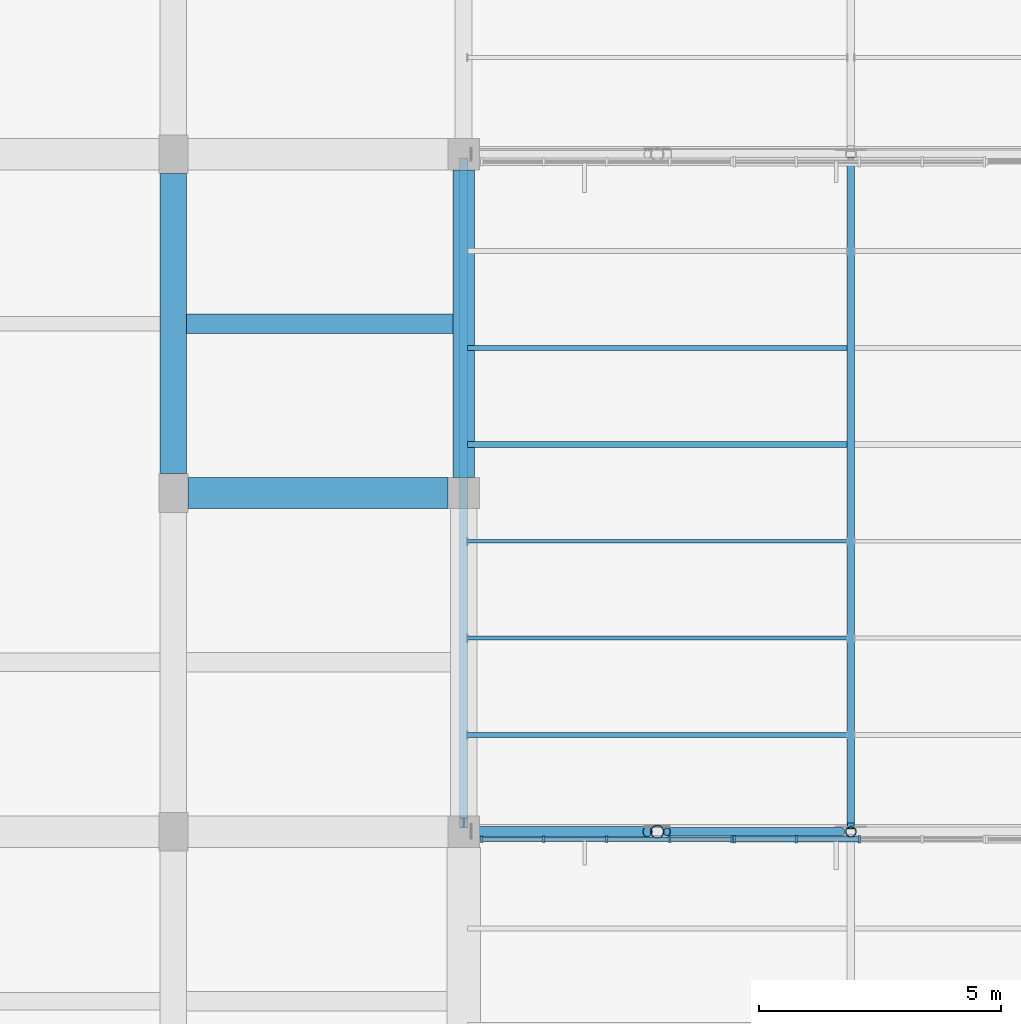
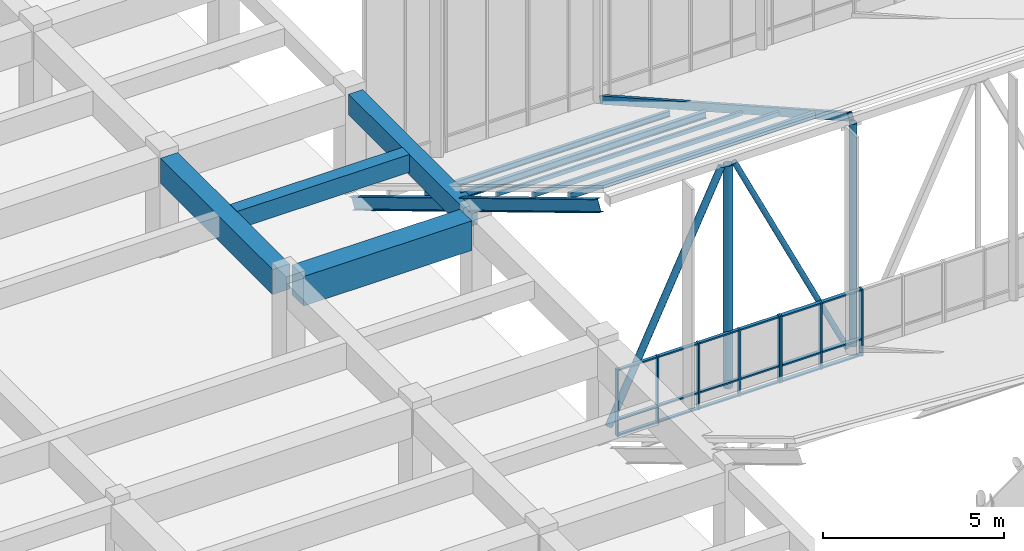
# One storey, part 52 of 155: 36 members, 5 beams, 2 elements without a shape of their own.
"""IFC4 building model written with IfcOpenShell, lengths in metres."""

from ifc_helpers import new_model, si_unit, direction, frame, origin, origin_2d, place, context, subcontext, project, spatial, rectangle, hollow_rectangle, hollow_circle, i_section, extrude, material, material_profile, profile_set, type_object, element, aggregate, save


model = new_model("IFC4")

# Units and contexts
model_context = context("Model", 3, precision=1e-05, world=origin(), true_north=direction((0.0, 1.0)))
body_context = subcontext(model_context, "Body", "Model", "MODEL_VIEW")
ifc_project = project(units=[si_unit("LENGTHUNIT", "METRE"), si_unit("AREAUNIT", "SQUARE_METRE"), si_unit("VOLUMEUNIT", "CUBIC_METRE"), si_unit("PLANEANGLEUNIT", "RADIAN"), si_unit("MASSUNIT", "GRAM", prefix="KILO")], contexts=[model_context])

# Site, building, storey
site_placement = place(None, origin())
site = spatial("IfcSite", under=ifc_project, at=site_placement, CompositionType="ELEMENT")
building_placement = place(site_placement, origin())
building = spatial("IfcBuilding", under=site, at=building_placement, Name="Larkveld Mobility Hub", CompositionType="ELEMENT")
storey_placement = place(building_placement, frame((0.0, 0.0, 8.39990234375)))
storey = spatial("IfcBuildingStorey", under=building, at=storey_placement, Name="L02", CompositionType="ELEMENT", Elevation=8.39990234375)

# Beams
ifc_material_1 = material(Name="Concrete C40/50", Category="concrete")
ifc_material_profile_1 = material_profile(ifc_material_1, rectangle(XDim=0.39990234375, YDim=0.60009765625, at=origin_2d()), Name="RC BM 400x600")
ifc_profile_set_1 = profile_set([ifc_material_profile_1], Name="Concrete C40/50")
beam_type_1 = type_object("IfcBeamType", Name="BM-RC4060", PredefinedType="BEAM", material=ifc_profile_set_1)
beam_1_placement = place(storey_placement, frame((146.27001953125, 94.5, 3.070068359375), z_axis=(1.0, 0.0, 0.0), x_axis=(0.0, 1.0, 0.0)))
element("IfcBeam", 1, at=beam_1_placement, inside=storey, type_object=beam_type_1, Name="Concourse Spine Joist L02-1102", PredefinedType="BEAM", context=body_context, shape_type="SweptSolid", body=[
    extrude(rectangle(XDim=0.39990234375, YDim=0.60009765625, at=origin_2d()), origin(), (0.0, 0.0, 1.0), 5.510009765625),
])
ifc_material_profile_2 = material_profile(ifc_material_1, rectangle(XDim=0.449951171875, YDim=0.699951171875, at=origin_2d()), Name="RC BM 450x700")
ifc_profile_set_2 = profile_set([ifc_material_profile_2], Name="Concrete C40/50")
beam_type_2 = type_object("IfcBeamType", Name="BM-RC4570", PredefinedType="BEAM", material=ifc_profile_set_2)
beam_2_placement = place(storey_placement, frame((152.0, 91.324951171875, 3.010009765625), z_axis=(0.0, 1.0, 0.0), x_axis=(-1.0, 0.0, 0.0)))
element("IfcBeam", 2, at=beam_2_placement, inside=storey, type_object=beam_type_2, Name="Primary N-S Girder L02-0683", PredefinedType="BEAM", context=body_context, shape_type="SweptSolid", body=[
    extrude(rectangle(XDim=0.449951171875, YDim=0.699951171875, at=origin_2d()), origin(), (0.0, 0.0, 1.0), 6.35009765625),
])
ifc_material_profile_3 = material_profile(ifc_material_1, rectangle(XDim=0.550048828125, YDim=0.85009765625, at=origin_2d()), Name="RC BM 550x850")
ifc_profile_set_3 = profile_set([ifc_material_profile_3], Name="Concrete C40/50")
beam_type_3 = type_object("IfcBeamType", Name="BM-RC5585", PredefinedType="BEAM", material=ifc_profile_set_3)
beam_3_placement = place(storey_placement, frame((146.0, 91.39990234375, 2.93505859375), z_axis=(0.0, 1.0, 0.0), x_axis=(-1.0, 0.0, 0.0)))
element("IfcBeam", 3, at=beam_3_placement, inside=storey, type_object=beam_type_3, Name="Primary N-S Girder L02-0668", PredefinedType="BEAM", context=body_context, shape_type="SweptSolid", body=[
    extrude(rectangle(XDim=0.550048828125, YDim=0.85009765625, at=origin_2d()), origin(), (0.0, 0.0, 1.0), 6.2001953125),
])
ifc_material_profile_4 = material_profile(ifc_material_1, rectangle(XDim=0.64990234375, YDim=1.0, at=origin_2d()), Name="RC BM 650x1000")
ifc_profile_set_4 = profile_set([ifc_material_profile_4], Name="Concrete C40/50")
beam_type_4 = type_object("IfcBeamType", Name="BM-RC65100", PredefinedType="BEAM", material=ifc_profile_set_4)
beam_4_placement = place(storey_placement, frame((146.300048828125, 91.0, 2.860107421875), z_axis=(1.0, 0.0, 0.0), x_axis=(0.0, 1.0, 0.0)))
element("IfcBeam", 4, at=beam_4_placement, inside=storey, type_object=beam_type_4, Name="Primary E-W Girder L02-0534", PredefinedType="BEAM", context=body_context, shape_type="SweptSolid", body=[
    extrude(rectangle(XDim=0.64990234375, YDim=1.0, at=origin_2d()), origin(), (0.0, 0.0, 1.0), 5.375),
])
ifc_material_2 = material(Name="Steel S355JR", Category="steel")
ifc_material_profile_5 = material_profile(ifc_material_2, i_section(OverallWidth=0.179931640625, OverallDepth=0.39990234375, WebThickness=0.008544921875, FlangeThickness=0.013427734375, FilletRadius=0.02099609375, at=origin_2d()), Name="IPE 400")
ifc_profile_set_5 = profile_set([ifc_material_profile_5], Name="Steel S355JR")
beam_type_5 = type_object("IfcBeamType", Name="BM-STIPE400", PredefinedType="BEAM", material=ifc_profile_set_5)
beam_5_placement = place(storey_placement, frame((152.0, 84.179931640625, 7.708984375), z_axis=(0.0, 0.85749969687, -0.514484469998), x_axis=(-1.0, 0.0, 0.0)))
element("IfcBeam", 5, at=beam_5_placement, inside=storey, type_object=beam_type_5, Name="ROOF TRUSS Sawtooth Edge Rafter B5-152", PredefinedType="BEAM", context=body_context, shape_type="SweptSolid", body=[
    extrude(i_section(OverallWidth=0.179931640625, OverallDepth=0.39990234375, WebThickness=0.008544921875, FlangeThickness=0.013427734375, FilletRadius=0.02099609375, at=origin_2d()), origin(), (0.0, 0.0, 1.0), 15.906982421875),
])

# Curtain wall, members
ifc_material_3 = material(Name="Anodised aluminium 6063-T6", Category="aluminium")
curtain_wall_type_1 = type_object("IfcCurtainWallType", Name="CW-SYS-09", PredefinedType="NOTDEFINED", material=ifc_material_3)
curtain_wall_1_placement = place(storey_placement, origin())
curtain_wall_1 = element("IfcCurtainWall", 6, at=curtain_wall_1_placement, inside=storey, type_object=curtain_wall_type_1, Name="Sawtooth South-Light Clerestory B5 CW-033", PredefinedType="NOTDEFINED")
ifc_material_profile_6 = material_profile(ifc_material_3, rectangle(XDim=0.050048828125, YDim=0.14990234375, at=origin_2d()), Name="ALU MULL 50x150")
ifc_profile_set_6 = profile_set([ifc_material_profile_6], Name="Anodised aluminium 6063-T6")
member_type_1 = type_object("IfcMemberType", Name="CW-MUL-01", PredefinedType="MULLION", material=ifc_profile_set_6)
member_1_placement = place(storey_placement, frame((157.592041015625, 83.844970703125, -0.001953125), z_axis=(0.0, 0.0, 1.0), x_axis=(1.0, 0.0, 0.0)))
member_1 = element("IfcMember", 7, at=member_1_placement, type_object=member_type_1, Name="CW09 mullion 1", PredefinedType="MULLION", context=body_context, shape_type="SweptSolid", body=[
    extrude(rectangle(XDim=0.050048828125, YDim=0.14990234375, at=origin_2d()), origin(), (0.0, 0.0, 1.0), 2.261962890625),
])
member_2_placement = place(storey_placement, frame((158.87109375, 83.844970703125, -0.001953125), z_axis=(0.0, 0.0, 1.0), x_axis=(1.0, 0.0, 0.0)))
member_2 = element("IfcMember", 8, at=member_2_placement, type_object=member_type_1, Name="CW09 mullion 2", PredefinedType="MULLION", context=body_context, shape_type="SweptSolid", body=[
    extrude(rectangle(XDim=0.050048828125, YDim=0.14990234375, at=origin_2d()), origin(), (0.0, 0.0, 1.0), 2.261962890625),
])
member_3_placement = place(storey_placement, frame((160.175048828125, 83.844970703125, -0.001953125), z_axis=(0.0, 0.0, 1.0), x_axis=(1.0, 0.0, 0.0)))
member_3 = element("IfcMember", 9, at=member_3_placement, type_object=member_type_1, Name="CW09 mullion 3", PredefinedType="MULLION", context=body_context, shape_type="SweptSolid", body=[
    extrude(rectangle(XDim=0.050048828125, YDim=0.14990234375, at=origin_2d()), origin(), (0.0, 0.0, 1.0), 2.261962890625),
])

curtain_wall_type_2 = type_object("IfcCurtainWallType", Name="CW-SYS-08", PredefinedType="NOTDEFINED", material=ifc_material_3)
curtain_wall_2_placement = place(storey_placement, origin())
curtain_wall_2 = element("IfcCurtainWall", 10, at=curtain_wall_2_placement, inside=storey, type_object=curtain_wall_type_2, Name="Sawtooth South-Light Clerestory B5 CW-032", PredefinedType="NOTDEFINED")
ifc_material_profile_7 = material_profile(ifc_material_3, rectangle(XDim=0.050048828125, YDim=0.1298828125, at=origin_2d()), Name="ALU MULL 50x130")
ifc_profile_set_7 = profile_set([ifc_material_profile_7], Name="Anodised aluminium 6063-T6")
member_type_2 = type_object("IfcMemberType", Name="CW-MUL-04", PredefinedType="MULLION", material=ifc_profile_set_7)
member_4_placement = place(storey_placement, frame((152.375, 83.844970703125, -0.001953125), z_axis=(0.0, 0.0, 1.0), x_axis=(1.0, 0.0, 0.0)))
member_4 = element("IfcMember", 11, at=member_4_placement, type_object=member_type_2, Name="CW08 mullion 1", PredefinedType="MULLION", context=body_context, shape_type="SweptSolid", body=[
    extrude(rectangle(XDim=0.050048828125, YDim=0.1298828125, at=origin_2d()), origin(), (0.0, 0.0, 1.0), 2.261962890625),
])
member_5_placement = place(storey_placement, frame((153.654052734375, 83.844970703125, -0.001953125), z_axis=(0.0, 0.0, 1.0), x_axis=(1.0, 0.0, 0.0)))
member_5 = element("IfcMember", 12, at=member_5_placement, type_object=member_type_2, Name="CW08 mullion 2", PredefinedType="MULLION", context=body_context, shape_type="SweptSolid", body=[
    extrude(rectangle(XDim=0.050048828125, YDim=0.1298828125, at=origin_2d()), origin(), (0.0, 0.0, 1.0), 2.261962890625),
])
member_6_placement = place(storey_placement, frame((154.9580078125, 83.844970703125, -0.001953125), z_axis=(0.0, 0.0, 1.0), x_axis=(1.0, 0.0, 0.0)))
member_6 = element("IfcMember", 13, at=member_6_placement, type_object=member_type_2, Name="CW08 mullion 3", PredefinedType="MULLION", context=body_context, shape_type="SweptSolid", body=[
    extrude(rectangle(XDim=0.050048828125, YDim=0.1298828125, at=origin_2d()), origin(), (0.0, 0.0, 1.0), 2.261962890625),
])
member_7_placement = place(storey_placement, frame((156.261962890625, 83.844970703125, -0.001953125), z_axis=(0.0, 0.0, 1.0), x_axis=(1.0, 0.0, 0.0)))
member_7 = element("IfcMember", 14, at=member_7_placement, type_object=member_type_2, Name="CW08 mullion 4", PredefinedType="MULLION", context=body_context, shape_type="SweptSolid", body=[
    extrude(rectangle(XDim=0.050048828125, YDim=0.1298828125, at=origin_2d()), origin(), (0.0, 0.0, 1.0), 2.261962890625),
])
member_8_placement = place(storey_placement, frame((157.5419921875, 83.844970703125, -0.001953125), z_axis=(0.0, 0.0, 1.0), x_axis=(1.0, 0.0, 0.0)))
member_8 = element("IfcMember", 15, at=member_8_placement, type_object=member_type_2, Name="CW08 mullion 5", PredefinedType="MULLION", context=body_context, shape_type="SweptSolid", body=[
    extrude(rectangle(XDim=0.050048828125, YDim=0.1298828125, at=origin_2d()), origin(), (0.0, 0.0, 1.0), 2.261962890625),
])

# Member
ifc_material_profile_8 = material_profile(ifc_material_3, rectangle(XDim=0.1201171875, YDim=0.050048828125, at=origin_2d()), Name="ALU TRAN 50x120")
ifc_profile_set_8 = profile_set([ifc_material_profile_8], Name="Anodised aluminium 6063-T6")
member_type_3 = type_object("IfcMemberType", Name="CW-TRN-01", PredefinedType="USERDEFINED", material=ifc_profile_set_8)
member_9_placement = place(storey_placement, frame((157.60205078125, 83.844970703125, 0.030029296875), z_axis=(1.0, 0.0, 0.0), x_axis=(0.0, 1.0, 0.0)))
member_9 = element("IfcMember", 16, at=member_9_placement, type_object=member_type_3, Name="CW09 transom 1.1", ObjectType="TRANSOM", PredefinedType="USERDEFINED", context=body_context, shape_type="SweptSolid", body=[
    extrude(rectangle(XDim=0.1201171875, YDim=0.050048828125, at=origin_2d()), origin(), (0.0, 0.0, 1.0), 1.25390625),
])

member_10_placement = place(storey_placement, frame((157.60205078125, 83.844970703125, 0.565185546875), z_axis=(1.0, 0.0, 0.0), x_axis=(0.0, 1.0, 0.0)))
member_10 = element("IfcMember", 17, at=member_10_placement, type_object=member_type_3, Name="CW09 transom 1.2", ObjectType="TRANSOM", PredefinedType="USERDEFINED", context=body_context, shape_type="SweptSolid", body=[
    extrude(rectangle(XDim=0.1201171875, YDim=0.050048828125, at=origin_2d()), origin(), (0.0, 0.0, 1.0), 1.25390625),
])

member_11_placement = place(storey_placement, frame((157.60205078125, 83.844970703125, 2.22802734375), z_axis=(1.0, 0.0, 0.0), x_axis=(0.0, 1.0, 0.0)))
member_11 = element("IfcMember", 18, at=member_11_placement, type_object=member_type_3, Name="CW09 transom 1.3", ObjectType="TRANSOM", PredefinedType="USERDEFINED", context=body_context, shape_type="SweptSolid", body=[
    extrude(rectangle(XDim=0.1201171875, YDim=0.050048828125, at=origin_2d()), origin(), (0.0, 0.0, 1.0), 1.25390625),
])

member_12_placement = place(storey_placement, frame((158.885986328125, 83.844970703125, 0.030029296875), z_axis=(1.0, 0.0, 0.0), x_axis=(0.0, 1.0, 0.0)))
member_12 = element("IfcMember", 19, at=member_12_placement, type_object=member_type_3, Name="CW09 transom 2.1", ObjectType="TRANSOM", PredefinedType="USERDEFINED", context=body_context, shape_type="SweptSolid", body=[
    extrude(rectangle(XDim=0.1201171875, YDim=0.050048828125, at=origin_2d()), origin(), (0.0, 0.0, 1.0), 1.27392578125),
])

member_13_placement = place(storey_placement, frame((158.885986328125, 83.844970703125, 0.565185546875), z_axis=(1.0, 0.0, 0.0), x_axis=(0.0, 1.0, 0.0)))
member_13 = element("IfcMember", 20, at=member_13_placement, type_object=member_type_3, Name="CW09 transom 2.2", ObjectType="TRANSOM", PredefinedType="USERDEFINED", context=body_context, shape_type="SweptSolid", body=[
    extrude(rectangle(XDim=0.1201171875, YDim=0.050048828125, at=origin_2d()), origin(), (0.0, 0.0, 1.0), 1.27392578125),
])

member_14_placement = place(storey_placement, frame((158.885986328125, 83.844970703125, 2.22802734375), z_axis=(1.0, 0.0, 0.0), x_axis=(0.0, 1.0, 0.0)))
member_14 = element("IfcMember", 21, at=member_14_placement, type_object=member_type_3, Name="CW09 transom 2.3", ObjectType="TRANSOM", PredefinedType="USERDEFINED", context=body_context, shape_type="SweptSolid", body=[
    extrude(rectangle(XDim=0.1201171875, YDim=0.050048828125, at=origin_2d()), origin(), (0.0, 0.0, 1.0), 1.27392578125),
])

aggregate(curtain_wall_1, [member_1, member_2, member_3, member_9, member_10, member_11, member_12, member_13, member_14])

ifc_material_profile_9 = material_profile(ifc_material_3, rectangle(XDim=0.10009765625, YDim=0.050048828125, at=origin_2d()), Name="ALU TRAN 50x100")
ifc_profile_set_9 = profile_set([ifc_material_profile_9], Name="Anodised aluminium 6063-T6")
member_type_4 = type_object("IfcMemberType", Name="CW-TRN-04", PredefinedType="USERDEFINED", material=ifc_profile_set_9)
member_15_placement = place(storey_placement, frame((152.385009765625, 83.844970703125, 0.030029296875), z_axis=(1.0, 0.0, 0.0), x_axis=(0.0, 1.0, 0.0)))
member_15 = element("IfcMember", 22, at=member_15_placement, type_object=member_type_4, Name="CW08 transom 1.1", ObjectType="TRANSOM", PredefinedType="USERDEFINED", context=body_context, shape_type="SweptSolid", body=[
    extrude(rectangle(XDim=0.10009765625, YDim=0.050048828125, at=origin_2d()), origin(), (0.0, 0.0, 1.0), 1.25390625),
])

member_16_placement = place(storey_placement, frame((152.385009765625, 83.844970703125, 0.565185546875), z_axis=(1.0, 0.0, 0.0), x_axis=(0.0, 1.0, 0.0)))
member_16 = element("IfcMember", 23, at=member_16_placement, type_object=member_type_4, Name="CW08 transom 1.2", ObjectType="TRANSOM", PredefinedType="USERDEFINED", context=body_context, shape_type="SweptSolid", body=[
    extrude(rectangle(XDim=0.10009765625, YDim=0.050048828125, at=origin_2d()), origin(), (0.0, 0.0, 1.0), 1.25390625),
])

member_17_placement = place(storey_placement, frame((152.385009765625, 83.844970703125, 2.22802734375), z_axis=(1.0, 0.0, 0.0), x_axis=(0.0, 1.0, 0.0)))
member_17 = element("IfcMember", 24, at=member_17_placement, type_object=member_type_4, Name="CW08 transom 1.3", ObjectType="TRANSOM", PredefinedType="USERDEFINED", context=body_context, shape_type="SweptSolid", body=[
    extrude(rectangle(XDim=0.10009765625, YDim=0.050048828125, at=origin_2d()), origin(), (0.0, 0.0, 1.0), 1.25390625),
])

member_18_placement = place(storey_placement, frame((153.6689453125, 83.844970703125, 0.030029296875), z_axis=(1.0, 0.0, 0.0), x_axis=(0.0, 1.0, 0.0)))
member_18 = element("IfcMember", 25, at=member_18_placement, type_object=member_type_4, Name="CW08 transom 2.1", ObjectType="TRANSOM", PredefinedType="USERDEFINED", context=body_context, shape_type="SweptSolid", body=[
    extrude(rectangle(XDim=0.10009765625, YDim=0.050048828125, at=origin_2d()), origin(), (0.0, 0.0, 1.0), 1.274169921875),
])

member_19_placement = place(storey_placement, frame((153.6689453125, 83.844970703125, 0.565185546875), z_axis=(1.0, 0.0, 0.0), x_axis=(0.0, 1.0, 0.0)))
member_19 = element("IfcMember", 26, at=member_19_placement, type_object=member_type_4, Name="CW08 transom 2.2", ObjectType="TRANSOM", PredefinedType="USERDEFINED", context=body_context, shape_type="SweptSolid", body=[
    extrude(rectangle(XDim=0.10009765625, YDim=0.050048828125, at=origin_2d()), origin(), (0.0, 0.0, 1.0), 1.274169921875),
])

member_20_placement = place(storey_placement, frame((153.6689453125, 83.844970703125, 2.22802734375), z_axis=(1.0, 0.0, 0.0), x_axis=(0.0, 1.0, 0.0)))
member_20 = element("IfcMember", 27, at=member_20_placement, type_object=member_type_4, Name="CW08 transom 2.3", ObjectType="TRANSOM", PredefinedType="USERDEFINED", context=body_context, shape_type="SweptSolid", body=[
    extrude(rectangle(XDim=0.10009765625, YDim=0.050048828125, at=origin_2d()), origin(), (0.0, 0.0, 1.0), 1.274169921875),
])

member_21_placement = place(storey_placement, frame((154.972900390625, 83.844970703125, 0.030029296875), z_axis=(1.0, 0.0, 0.0), x_axis=(0.0, 1.0, 0.0)))
member_21 = element("IfcMember", 28, at=member_21_placement, type_object=member_type_4, Name="CW08 transom 3.1", ObjectType="TRANSOM", PredefinedType="USERDEFINED", context=body_context, shape_type="SweptSolid", body=[
    extrude(rectangle(XDim=0.10009765625, YDim=0.050048828125, at=origin_2d()), origin(), (0.0, 0.0, 1.0), 1.275146484375),
])

member_22_placement = place(storey_placement, frame((154.972900390625, 83.844970703125, 0.565185546875), z_axis=(1.0, 0.0, 0.0), x_axis=(0.0, 1.0, 0.0)))
member_22 = element("IfcMember", 29, at=member_22_placement, type_object=member_type_4, Name="CW08 transom 3.2", ObjectType="TRANSOM", PredefinedType="USERDEFINED", context=body_context, shape_type="SweptSolid", body=[
    extrude(rectangle(XDim=0.10009765625, YDim=0.050048828125, at=origin_2d()), origin(), (0.0, 0.0, 1.0), 1.275146484375),
])

member_23_placement = place(storey_placement, frame((154.972900390625, 83.844970703125, 2.22802734375), z_axis=(1.0, 0.0, 0.0), x_axis=(0.0, 1.0, 0.0)))
member_23 = element("IfcMember", 30, at=member_23_placement, type_object=member_type_4, Name="CW08 transom 3.3", ObjectType="TRANSOM", PredefinedType="USERDEFINED", context=body_context, shape_type="SweptSolid", body=[
    extrude(rectangle(XDim=0.10009765625, YDim=0.050048828125, at=origin_2d()), origin(), (0.0, 0.0, 1.0), 1.275146484375),
])

member_24_placement = place(storey_placement, frame((156.278076171875, 83.844970703125, 0.030029296875), z_axis=(1.0, 0.0, 0.0), x_axis=(0.0, 1.0, 0.0)))
member_24 = element("IfcMember", 31, at=member_24_placement, type_object=member_type_4, Name="CW08 transom 4.1", ObjectType="TRANSOM", PredefinedType="USERDEFINED", context=body_context, shape_type="SweptSolid", body=[
    extrude(rectangle(XDim=0.10009765625, YDim=0.050048828125, at=origin_2d()), origin(), (0.0, 0.0, 1.0), 1.25390625),
])

member_25_placement = place(storey_placement, frame((156.278076171875, 83.844970703125, 0.565185546875), z_axis=(1.0, 0.0, 0.0), x_axis=(0.0, 1.0, 0.0)))
member_25 = element("IfcMember", 32, at=member_25_placement, type_object=member_type_4, Name="CW08 transom 4.2", ObjectType="TRANSOM", PredefinedType="USERDEFINED", context=body_context, shape_type="SweptSolid", body=[
    extrude(rectangle(XDim=0.10009765625, YDim=0.050048828125, at=origin_2d()), origin(), (0.0, 0.0, 1.0), 1.25390625),
])

member_26_placement = place(storey_placement, frame((156.278076171875, 83.844970703125, 2.22802734375), z_axis=(1.0, 0.0, 0.0), x_axis=(0.0, 1.0, 0.0)))
member_26 = element("IfcMember", 33, at=member_26_placement, type_object=member_type_4, Name="CW08 transom 4.3", ObjectType="TRANSOM", PredefinedType="USERDEFINED", context=body_context, shape_type="SweptSolid", body=[
    extrude(rectangle(XDim=0.10009765625, YDim=0.050048828125, at=origin_2d()), origin(), (0.0, 0.0, 1.0), 1.25390625),
])

aggregate(curtain_wall_2, [member_4, member_5, member_6, member_7, member_8, member_15, member_16, member_17, member_18, member_19, member_20, member_21, member_22, member_23, member_24, member_25, member_26])

# Members
ifc_material_profile_10 = material_profile(ifc_material_2, hollow_circle(Radius=0.084228515625, WallThickness=0.008056640625, at=origin_2d()), Name="CHS 168.3x8")
ifc_profile_set_10 = profile_set([ifc_material_profile_10], Name="Steel S355JR")
member_type_5 = type_object("IfcMemberType", Name="MB-BR-CHS168", PredefinedType="BRACE", material=ifc_profile_set_10)
member_27_placement = place(storey_placement, frame((156.199951171875, 84.0, 7.8251953125), z_axis=(0.43156423058, 0.0, -0.902082210712), x_axis=(0.0, 1.0, 0.0)))
element("IfcMember", 34, at=member_27_placement, inside=storey, type_object=member_type_5, Name="ROOF TRUSS T5 Web Diagonal 2", PredefinedType="BRACE", context=body_context, shape_type="SweptSolid", body=[
    extrude(hollow_circle(Radius=0.084228515625, WallThickness=0.008056640625, at=origin_2d()), origin(), (0.0, 0.0, 1.0), 8.342041015625),
])
ifc_material_profile_11 = material_profile(ifc_material_2, hollow_circle(Radius=0.109619140625, WallThickness=0.010009765625, at=origin_2d()), Name="CHS 219.1x10")
ifc_profile_set_11 = profile_set([ifc_material_profile_11], Name="Steel S355JR")
member_type_6 = type_object("IfcMemberType", Name="MB-BR-CHS219", PredefinedType="BRACE", material=ifc_profile_set_11)
member_28_placement = place(storey_placement, frame((152.199951171875, 84.0, 0.300048828125), z_axis=(0.43156423058, 0.0, 0.902082210712), x_axis=(0.0, 1.0, 0.0)))
element("IfcMember", 35, at=member_28_placement, inside=storey, type_object=member_type_6, Name="ROOF TRUSS T5 Web Diagonal 1", PredefinedType="BRACE", context=body_context, shape_type="SweptSolid", body=[
    extrude(hollow_circle(Radius=0.109619140625, WallThickness=0.010009765625, at=origin_2d()), origin(), (0.0, 0.0, 1.0), 8.342041015625),
])
member_29_placement = place(storey_placement, frame((160.0, 84.0, 0.300048828125), z_axis=(0.0, 0.0, 1.0), x_axis=(1.0, 0.0, 0.0)))
element("IfcMember", 36, at=member_29_placement, inside=storey, type_object=member_type_6, Name="ROOF TRUSS T5 Vertical Post 2", PredefinedType="BRACE", context=body_context, shape_type="SweptSolid", body=[
    extrude(hollow_circle(Radius=0.109619140625, WallThickness=0.010009765625, at=origin_2d()), origin(), (0.0, 0.0, 1.0), 7.525146484375),
])
ifc_material_profile_12 = material_profile(ifc_material_2, hollow_circle(Radius=0.136474609375, WallThickness=0.012451171875, at=origin_2d()), Name="CHS 273x12.5")
ifc_profile_set_12 = profile_set([ifc_material_profile_12], Name="Steel S355JR")
member_type_7 = type_object("IfcMemberType", Name="MB-BR-CHS273", PredefinedType="BRACE", material=ifc_profile_set_12)
member_30_placement = place(storey_placement, frame((156.0, 84.0, 0.300048828125), z_axis=(0.0, 0.0, 1.0), x_axis=(1.0, 0.0, 0.0)))
element("IfcMember", 37, at=member_30_placement, inside=storey, type_object=member_type_7, Name="ROOF TRUSS T5 Vertical Post 1", PredefinedType="BRACE", context=body_context, shape_type="SweptSolid", body=[
    extrude(hollow_circle(Radius=0.136474609375, WallThickness=0.012451171875, at=origin_2d()), origin(), (0.0, 0.0, 1.0), 7.525146484375),
])
ifc_material_profile_13 = material_profile(ifc_material_2, hollow_rectangle(XDim=0.14990234375, YDim=0.25, WallThickness=0.010009765625, at=origin_2d()), Name="RHS 250x150x10")
ifc_profile_set_13 = profile_set([ifc_material_profile_13], Name="Steel S355JR")
member_type_8 = type_object("IfcMemberType", Name="MB-CH-RHS250", PredefinedType="CHORD", material=ifc_profile_set_13)
member_31_placement = place(storey_placement, frame((160.0, 84.1201171875, 7.9501953125), z_axis=(0.0, 0.870759014799, -0.491710014283), x_axis=(-1.0, 0.0, 0.0)))
element("IfcMember", 38, at=member_31_placement, inside=storey, type_object=member_type_8, Name="ROOF TRUSS Sloped Rafter Chord B5-160", PredefinedType="CHORD", context=body_context, shape_type="SweptSolid", body=[
    extrude(hollow_rectangle(XDim=0.14990234375, YDim=0.25, WallThickness=0.010009765625, at=origin_2d()), origin(), (0.0, 0.0, 1.0), 15.802001953125),
])
ifc_material_profile_14 = material_profile(ifc_material_2, i_section(OverallWidth=0.10009765625, OverallDepth=0.199951171875, WebThickness=0.005615234375, FlangeThickness=0.008544921875, FilletRadius=0.011962890625, at=origin_2d()), Name="IPE 200")
ifc_profile_set_14 = profile_set([ifc_material_profile_14], Name="Steel S355JR")
member_type_9 = type_object("IfcMemberType", Name="MB-PR-IPE200", PredefinedType="PURLIN", material=ifc_profile_set_14)
member_32_placement = place(storey_placement, frame((152.080078125, 94.0, 2.107177734375), z_axis=(1.0, 0.0, 0.0), x_axis=(0.0, 1.0, 0.0)))
element("IfcMember", 39, at=member_32_placement, inside=storey, type_object=member_type_9, Name="Sawtooth Roof Purlin B5-5.1", PredefinedType="PURLIN", context=body_context, shape_type="SweptSolid", body=[
    extrude(i_section(OverallWidth=0.10009765625, OverallDepth=0.199951171875, WebThickness=0.005615234375, FlangeThickness=0.008544921875, FilletRadius=0.011962890625, at=origin_2d()), origin(), (0.0, 0.0, 1.0), 7.83984375),
])
ifc_material_profile_15 = material_profile(ifc_material_2, i_section(OverallWidth=0.1201171875, OverallDepth=0.239990234375, WebThickness=0.006103515625, FlangeThickness=0.009765625, FilletRadius=0.014892578125, at=origin_2d()), Name="IPE 240")
ifc_profile_set_15 = profile_set([ifc_material_profile_15], Name="Steel S355JR")
member_type_10 = type_object("IfcMemberType", Name="MB-PR-IPE240", PredefinedType="PURLIN", material=ifc_profile_set_15)
member_33_placement = place(storey_placement, frame((152.080078125, 92.0, 3.287109375), z_axis=(1.0, 0.0, 0.0), x_axis=(0.0, 1.0, 0.0)))
element("IfcMember", 40, at=member_33_placement, inside=storey, type_object=member_type_10, Name="Sawtooth Roof Purlin B5-4.1", PredefinedType="PURLIN", context=body_context, shape_type="SweptSolid", body=[
    extrude(i_section(OverallWidth=0.1201171875, OverallDepth=0.239990234375, WebThickness=0.006103515625, FlangeThickness=0.009765625, FilletRadius=0.014892578125, at=origin_2d()), origin(), (0.0, 0.0, 1.0), 7.83984375),
])
ifc_material_profile_16 = material_profile(ifc_material_2, hollow_rectangle(XDim=0.070068359375, YDim=0.139892578125, WallThickness=0.00634765625, at=origin_2d()), Name="RHS 140x70x6.3")
ifc_profile_set_16 = profile_set([ifc_material_profile_16], Name="Steel S355JR")
member_type_11 = type_object("IfcMemberType", Name="MB-PR-RHS140", PredefinedType="PURLIN", material=ifc_profile_set_16)
member_34_placement = place(storey_placement, frame((152.080078125, 90.0, 4.537109375), z_axis=(1.0, 0.0, 0.0), x_axis=(0.0, 1.0, 0.0)))
element("IfcMember", 41, at=member_34_placement, inside=storey, type_object=member_type_11, Name="Sawtooth Roof Purlin B5-3.1", PredefinedType="PURLIN", context=body_context, shape_type="SweptSolid", body=[
    extrude(hollow_rectangle(XDim=0.070068359375, YDim=0.139892578125, WallThickness=0.00634765625, at=origin_2d()), origin(), (0.0, 0.0, 1.0), 7.83984375),
])
ifc_material_profile_17 = material_profile(ifc_material_2, hollow_rectangle(XDim=0.080078125, YDim=0.159912109375, WallThickness=0.008056640625, at=origin_2d()), Name="RHS 160x80x8")
ifc_profile_set_17 = profile_set([ifc_material_profile_17], Name="Steel S355JR")
member_type_12 = type_object("IfcMemberType", Name="MB-PR-RHS160", PredefinedType="PURLIN", material=ifc_profile_set_17)
member_35_placement = place(storey_placement, frame((152.080078125, 88.0, 5.72705078125), z_axis=(1.0, 0.0, 0.0), x_axis=(0.0, 1.0, 0.0)))
element("IfcMember", 42, at=member_35_placement, inside=storey, type_object=member_type_12, Name="Sawtooth Roof Purlin B5-2.1", PredefinedType="PURLIN", context=body_context, shape_type="SweptSolid", body=[
    extrude(hollow_rectangle(XDim=0.080078125, YDim=0.159912109375, WallThickness=0.008056640625, at=origin_2d()), origin(), (0.0, 0.0, 1.0), 7.83984375),
])
ifc_material_profile_18 = material_profile(ifc_material_2, hollow_rectangle(XDim=0.10009765625, YDim=0.199951171875, WallThickness=0.008056640625, at=origin_2d()), Name="RHS 200x100x8")
ifc_profile_set_18 = profile_set([ifc_material_profile_18], Name="Steel S355JR")
member_type_13 = type_object("IfcMemberType", Name="MB-PR-RHS200", PredefinedType="PURLIN", material=ifc_profile_set_18)
member_36_placement = place(storey_placement, frame((152.080078125, 86.0, 6.906982421875), z_axis=(1.0, 0.0, 0.0), x_axis=(0.0, 1.0, 0.0)))
element("IfcMember", 43, at=member_36_placement, inside=storey, type_object=member_type_13, Name="Sawtooth Roof Purlin B5-1.1", PredefinedType="PURLIN", context=body_context, shape_type="SweptSolid", body=[
    extrude(hollow_rectangle(XDim=0.10009765625, YDim=0.199951171875, WallThickness=0.008056640625, at=origin_2d()), origin(), (0.0, 0.0, 1.0), 7.83984375),
])

save(model, "model.ifc")
